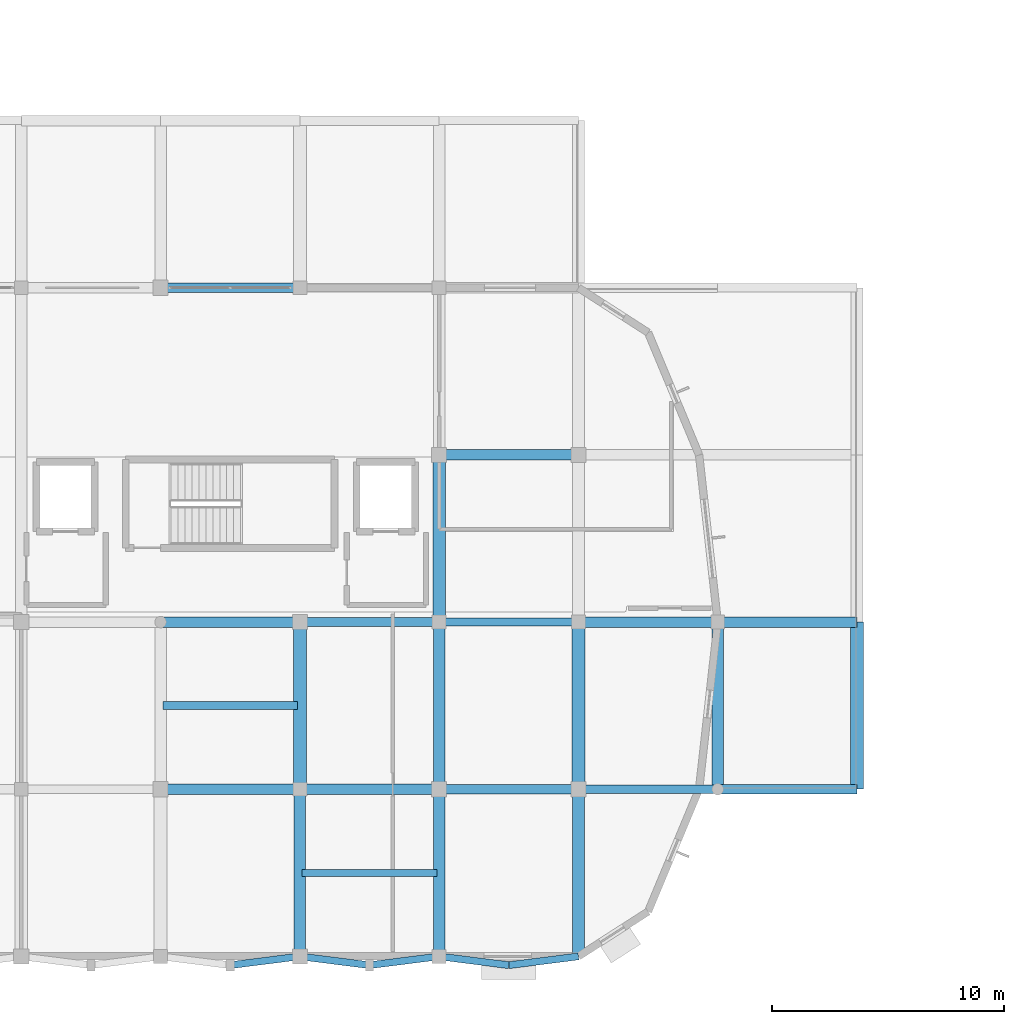
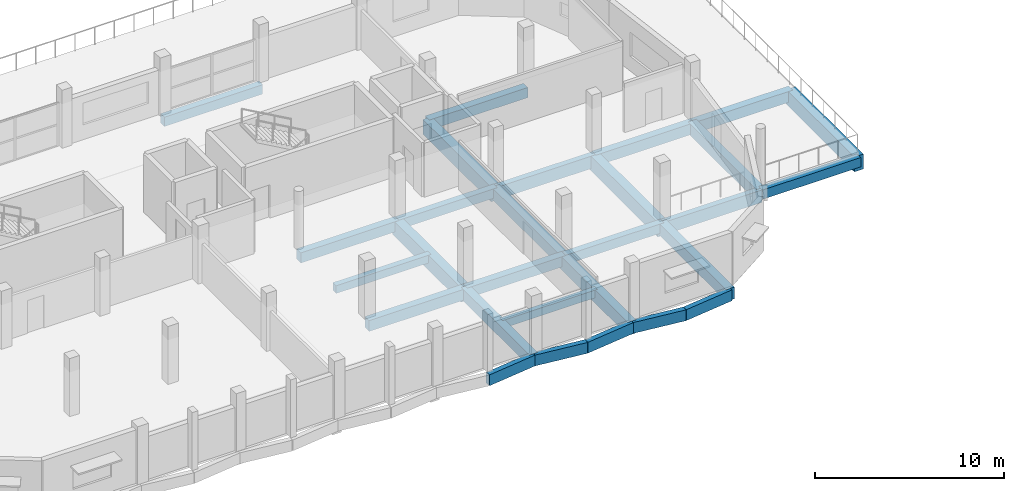
# One storey, part 6 of 19: 28 beams.
"""IFC4 building model written with IfcOpenShell, lengths in metres."""

from ifc_helpers import new_model, si_unit, direction, frame, origin, origin_2d, place, context, subcontext, project, spatial, rectangle, extrude, material, material_profile, profile_set, type_object, element, save


model = new_model("IFC4")

# Units and contexts
model_context = context("Model", 3, precision=1e-05, world=origin(), true_north=direction((0.0, 1.0)))
body_context = subcontext(model_context, "Body", "Model", "MODEL_VIEW")
ifc_project = project(units=[si_unit("LENGTHUNIT", "METRE"), si_unit("AREAUNIT", "SQUARE_METRE"), si_unit("VOLUMEUNIT", "CUBIC_METRE"), si_unit("PLANEANGLEUNIT", "RADIAN"), si_unit("MASSUNIT", "GRAM", prefix="KILO")], contexts=[model_context])

# Site, building, storey
site_placement = place(None, origin())
site = spatial("IfcSite", under=ifc_project, at=site_placement, CompositionType="ELEMENT")
building_placement = place(site_placement, origin())
building = spatial("IfcBuilding", under=site, at=building_placement, Name="Dunvalen Ferry Terminal", CompositionType="ELEMENT")
storey_placement = place(building_placement, frame((0.0, 0.0, 13.580078125)))
storey = spatial("IfcBuildingStorey", under=building, at=storey_placement, Name="L03", CompositionType="ELEMENT", Elevation=13.580078125)

# Beams
ifc_material_1 = material(Name="Concrete C35/45", Category="concrete")
ifc_material_profile_1 = material_profile(ifc_material_1, rectangle(XDim=0.300048828125, YDim=0.5, at=origin_2d()), Name="Concrete C35/45")
ifc_profile_set_1 = profile_set([ifc_material_profile_1], Name="Concrete C35/45")
beam_type_1 = type_object("IfcBeamType", Name="STR-BM-RCB500", PredefinedType="JOIST", material=ifc_profile_set_1)
beam_1_placement = place(storey_placement, frame((48.10009765625, 3.60009765625, -0.510009765625), z_axis=(1.0, 0.0, 0.0), x_axis=(0.0, 1.0, 0.0)))
element("IfcBeam", 1, at=beam_1_placement, inside=storey, type_object=beam_type_1, Name="L03 V5P0 Secondary Joist 002", PredefinedType="JOIST", context=body_context, shape_type="SweptSolid", body=[
    extrude(rectangle(XDim=0.300048828125, YDim=0.5, at=origin_2d()), origin(), (0.0, 0.0, 1.0), 5.7998046875),
])
ifc_material_profile_2 = material_profile(ifc_material_1, rectangle(XDim=0.35009765625, YDim=0.5, at=origin_2d()), Name="Concrete C35/45")
ifc_profile_set_2 = profile_set([ifc_material_profile_2], Name="Concrete C35/45")
beam_type_2 = type_object("IfcBeamType", Name="STR-BM-RCB500W", PredefinedType="JOIST", material=ifc_profile_set_2)
beam_2_placement = place(storey_placement, frame((42.10009765625, 10.800048828125, -0.510009765625), z_axis=(1.0, 0.0, 0.0), x_axis=(0.0, 1.0, 0.0)))
element("IfcBeam", 2, at=beam_2_placement, inside=storey, type_object=beam_type_2, Name="L03 V5P0 Secondary Joist 001", PredefinedType="JOIST", context=body_context, shape_type="SweptSolid", body=[
    extrude(rectangle(XDim=0.35009765625, YDim=0.5, at=origin_2d()), origin(), (0.0, 0.0, 1.0), 5.7998046875),
])
ifc_material_profile_3 = material_profile(ifc_material_1, rectangle(XDim=0.39990234375, YDim=0.60009765625, at=origin_2d()), Name="Concrete C35/45")
ifc_profile_set_3 = profile_set([ifc_material_profile_3], Name="Concrete C35/45")
beam_type_3 = type_object("IfcBeamType", Name="STR-BM-RCB600", PredefinedType="BEAM", material=ifc_profile_set_3)
for number, where, z_axis, x_axis, name in (
    (3, (54.0, 7.199951171875, -0.56005859375), (1.0, 0.0, 0.0), (0.0, 1.0, 0.0), "L03 V5P0 Primary Beam X-014"),
    (4, (48.0, 14.39990234375, -0.56005859375), (1.0, 0.0, 0.0), (0.0, 1.0, 0.0), "L03 V5P0 Primary Beam X-022"),
    (5, (42.0, 28.800048828125, -0.56005859375), (1.0, 0.0, 0.0), (0.0, 1.0, 0.0), "L03 V5P0 Primary Beam X-030"),
    (6, (66.0, 7.199951171875, -0.56005859375), (1.0, 0.0, 0.0), (0.0, 1.0, 0.0), "L03 V5P1 Primary Beam X-002"),
):
    element("IfcBeam", number, at=place(storey_placement, frame(where, z_axis=z_axis, x_axis=x_axis)), inside=storey, type_object=beam_type_3, Name=name, PredefinedType="BEAM", context=body_context, shape_type="SweptSolid", body=[
        extrude(rectangle(XDim=0.39990234375, YDim=0.60009765625, at=origin_2d()), origin(), (0.0, 0.0, 1.0), 6.0),
    ])
ifc_material_2 = material(Name="Concrete C40/50", Category="concrete")
ifc_material_profile_4 = material_profile(ifc_material_2, rectangle(XDim=0.449951171875, YDim=0.64990234375, at=origin_2d()), Name="Concrete C40/50")
ifc_profile_set_4 = profile_set([ifc_material_profile_4], Name="Concrete C40/50")
beam_type_4 = type_object("IfcBeamType", Name="STR-BM-RCB650W", PredefinedType="BEAM", material=ifc_profile_set_4)
for number, where, z_axis, x_axis, name in (
    (7, (48.0, 7.199951171875, -0.5849609375), (1.0, 0.0, 0.0), (0.0, 1.0, 0.0), "L03 V5P0 Primary Beam X-013"),
    (8, (42.0, 14.39990234375, -0.5849609375), (1.0, 0.0, 0.0), (0.0, 1.0, 0.0), "L03 V5P0 Primary Beam X-021"),
    (9, (54.0, 21.60009765625, -0.5849609375), (1.0, 0.0, 0.0), (0.0, 1.0, 0.0), "L03 V5P0 Primary Beam X-025"),
):
    element("IfcBeam", number, at=place(storey_placement, frame(where, z_axis=z_axis, x_axis=x_axis)), inside=storey, type_object=beam_type_4, Name=name, PredefinedType="BEAM", context=body_context, shape_type="SweptSolid", body=[
        extrude(rectangle(XDim=0.449951171875, YDim=0.64990234375, at=origin_2d()), origin(), (0.0, 0.0, 1.0), 6.0),
    ])
ifc_material_profile_5 = material_profile(ifc_material_2, rectangle(XDim=0.449951171875, YDim=0.699951171875, at=origin_2d()), Name="Concrete C40/50")
ifc_profile_set_5 = profile_set([ifc_material_profile_5], Name="Concrete C40/50")
beam_type_5 = type_object("IfcBeamType", Name="STR-BM-RCB700", PredefinedType="BEAM", material=ifc_profile_set_5)
for number, where, z_axis, x_axis, name in (
    (10, (42.0, 7.199951171875, -0.610107421875), (1.0, 0.0, 0.0), (0.0, 1.0, 0.0), "L03 V5P0 Primary Beam X-012"),
    (11, (60.0, 14.39990234375, -0.610107421875), (1.0, 0.0, 0.0), (0.0, 1.0, 0.0), "L03 V5P0 Primary Beam X-024"),
    (12, (66.0, 14.39990234375, -0.610107421875), (1.0, 0.0, 0.0), (0.0, 1.0, 0.0), "L03 V5P1 Primary Beam X-004"),
):
    element("IfcBeam", number, at=place(storey_placement, frame(where, z_axis=z_axis, x_axis=x_axis)), inside=storey, type_object=beam_type_5, Name=name, PredefinedType="BEAM", context=body_context, shape_type="SweptSolid", body=[
        extrude(rectangle(XDim=0.449951171875, YDim=0.699951171875, at=origin_2d()), origin(), (0.0, 0.0, 1.0), 6.0),
    ])
ifc_material_profile_6 = material_profile(ifc_material_2, rectangle(XDim=0.5, YDim=0.75, at=origin_2d()), Name="Concrete C40/50")
ifc_profile_set_6 = profile_set([ifc_material_profile_6], Name="Concrete C40/50")
beam_type_6 = type_object("IfcBeamType", Name="STR-BM-RCB750", PredefinedType="BEAM", material=ifc_profile_set_6)
for number, where, z_axis, x_axis, name in (
    (13, (48.0, 0.0, -0.635009765625), (0.0, 1.0, 0.0), (-1.0, 0.0, 0.0), "L03 V5P0 Primary Girder Y-044"),
    (14, (54.0, 7.199951171875, -0.635009765625), (0.0, 1.0, 0.0), (-1.0, 0.0, 0.0), "L03 V5P0 Primary Girder Y-047"),
    (15, (60.0, 0.0, -0.635009765625), (0.0, 1.0, 0.0), (-1.0, 0.0, 0.0), "L03 V5P0 Primary Girder Y-050"),
    (16, (66.0, 7.199951171875, -0.635009765625), (0.0, 1.0, 0.0), (-1.0, 0.0, 0.0), "L03 V5P1 Primary Girder Y-011"),
):
    element("IfcBeam", number, at=place(storey_placement, frame(where, z_axis=z_axis, x_axis=x_axis)), inside=storey, type_object=beam_type_6, Name=name, PredefinedType="BEAM", context=body_context, shape_type="SweptSolid", body=[
        extrude(rectangle(XDim=0.5, YDim=0.75, at=origin_2d()), origin(), (0.0, 0.0, 1.0), 7.199951171875),
    ])
ifc_material_profile_7 = material_profile(ifc_material_2, rectangle(XDim=0.5, YDim=0.85009765625, at=origin_2d()), Name="Concrete C40/50")
ifc_profile_set_7 = profile_set([ifc_material_profile_7], Name="Concrete C40/50")
beam_type_7 = type_object("IfcBeamType", Name="STR-BM-RCG850", PredefinedType="BEAM", material=ifc_profile_set_7)
beam_3_placement = place(storey_placement, frame((54.0, 0.0, -0.68505859375), z_axis=(0.0, 1.0, 0.0), x_axis=(-1.0, 0.0, 0.0)))
element("IfcBeam", 17, at=beam_3_placement, inside=storey, type_object=beam_type_7, Name="L03 V5P0 Primary Girder Y-046", PredefinedType="BEAM", context=body_context, shape_type="SweptSolid", body=[
    extrude(rectangle(XDim=0.5, YDim=0.85009765625, at=origin_2d()), origin(), (0.0, 0.0, 1.0), 7.199951171875),
])
ifc_material_profile_8 = material_profile(ifc_material_2, rectangle(XDim=0.550048828125, YDim=0.949951171875, at=origin_2d()), Name="Concrete C40/50")
ifc_profile_set_8 = profile_set([ifc_material_profile_8], Name="Concrete C40/50")
beam_type_8 = type_object("IfcBeamType", Name="STR-BM-RCG950", PredefinedType="BEAM", material=ifc_profile_set_8)
beam_4_placement = place(storey_placement, frame((48.0, 7.199951171875, -0.735107421875), z_axis=(0.0, 1.0, 0.0), x_axis=(-1.0, 0.0, 0.0)))
element("IfcBeam", 18, at=beam_4_placement, inside=storey, type_object=beam_type_8, Name="L03 V5P0 Primary Girder Y-045", PredefinedType="BEAM", context=body_context, shape_type="SweptSolid", body=[
    extrude(rectangle(XDim=0.550048828125, YDim=0.949951171875, at=origin_2d()), origin(), (0.0, 0.0, 1.0), 7.199951171875),
])
beam_5_placement = place(storey_placement, frame((54.0, 14.39990234375, -0.735107421875), z_axis=(0.0, 1.0, 0.0), x_axis=(-1.0, 0.0, 0.0)))
element("IfcBeam", 19, at=beam_5_placement, inside=storey, type_object=beam_type_8, Name="L03 V5P0 Primary Girder Y-048", PredefinedType="BEAM", context=body_context, shape_type="SweptSolid", body=[
    extrude(rectangle(XDim=0.550048828125, YDim=0.949951171875, at=origin_2d()), origin(), (0.0, 0.0, 1.0), 7.2001953125),
])
for number, where, z_axis, x_axis, name in (
    (20, (60.0, 7.199951171875, -0.735107421875), (0.0, 1.0, 0.0), (-1.0, 0.0, 0.0), "L03 V5P0 Primary Girder Y-051"),
    (21, (72.0, 7.199951171875, -0.735107421875), (0.0, 1.0, 0.0), (-1.0, 0.0, 0.0), "L03 V5P1 Primary Girder Y-012"),
):
    element("IfcBeam", number, at=place(storey_placement, frame(where, z_axis=z_axis, x_axis=x_axis)), inside=storey, type_object=beam_type_8, Name=name, PredefinedType="BEAM", context=body_context, shape_type="SweptSolid", body=[
        extrude(rectangle(XDim=0.550048828125, YDim=0.949951171875, at=origin_2d()), origin(), (0.0, 0.0, 1.0), 7.199951171875),
    ])
ifc_material_profile_9 = material_profile(ifc_material_2, rectangle(XDim=0.300048828125, YDim=0.699951171875, at=origin_2d()), Name="Concrete C40/50")
ifc_profile_set_9 = profile_set([ifc_material_profile_9], Name="Concrete C40/50")
beam_type_9 = type_object("IfcBeamType", Name="STR-BM-RCSP700", PredefinedType="SPANDREL", material=ifc_profile_set_9)
for number, where, z_axis, x_axis, name in (
    (22, (45.0, -0.3798828125, -0.610107421875), (0.992077869489, 0.12562444376, 0.0), (-0.12562444376, 0.992077869489, 0.0), "L03 Forecourt Pilaster Spandrel Tie 05.2"),
    (23, (48.0, 0.0, -0.610107421875), (0.992077869489, -0.12562444376, 0.0), (0.12562444376, 0.992077869489, 0.0), "L03 Forecourt Pilaster Spandrel Tie 06.1"),
    (24, (51.0, -0.3798828125, -0.610107421875), (0.992077869489, 0.12562444376, 0.0), (-0.12562444376, 0.992077869489, 0.0), "L03 Forecourt Pilaster Spandrel Tie 06.2"),
    (25, (54.0, 0.0, -0.610107421875), (0.992077869489, -0.12562444376, 0.0), (0.12562444376, 0.992077869489, 0.0), "L03 Forecourt Pilaster Spandrel Tie 07.1"),
    (26, (57.0, -0.3798828125, -0.610107421875), (0.992077869489, 0.12562444376, 0.0), (-0.12562444376, 0.992077869489, 0.0), "L03 Forecourt Pilaster Spandrel Tie 07.2"),
):
    element("IfcBeam", number, at=place(storey_placement, frame(where, z_axis=z_axis, x_axis=x_axis)), inside=storey, type_object=beam_type_9, Name=name, PredefinedType="SPANDREL", context=body_context, shape_type="SweptSolid", body=[
        extrude(rectangle(XDim=0.300048828125, YDim=0.699951171875, at=origin_2d()), origin(), (0.0, 0.0, 1.0), 3.02392578125),
    ])
ifc_material_profile_10 = material_profile(ifc_material_2, rectangle(XDim=0.35009765625, YDim=0.800048828125, at=origin_2d()), Name="Concrete C40/50")
ifc_profile_set_10 = profile_set([ifc_material_profile_10], Name="Concrete C40/50")
beam_type_10 = type_object("IfcBeamType", Name="STR-BM-RCSP800", PredefinedType="SPANDREL", material=ifc_profile_set_10)
for number, where, z_axis, x_axis, name in (
    (27, (60.0, 7.199951171875, -0.66015625), (1.0, 0.0, 0.0), (0.0, 1.0, 0.0), "L03 V5P0 Primary Beam X-015"),
    (28, (54.0, 14.39990234375, -0.66015625), (1.0, 0.0, 0.0), (0.0, 1.0, 0.0), "L03 V5P0 Primary Beam X-023"),
):
    element("IfcBeam", number, at=place(storey_placement, frame(where, z_axis=z_axis, x_axis=x_axis)), inside=storey, type_object=beam_type_10, Name=name, PredefinedType="SPANDREL", context=body_context, shape_type="SweptSolid", body=[
        extrude(rectangle(XDim=0.35009765625, YDim=0.800048828125, at=origin_2d()), origin(), (0.0, 0.0, 1.0), 6.0),
    ])

save(model, "model.ifc")
